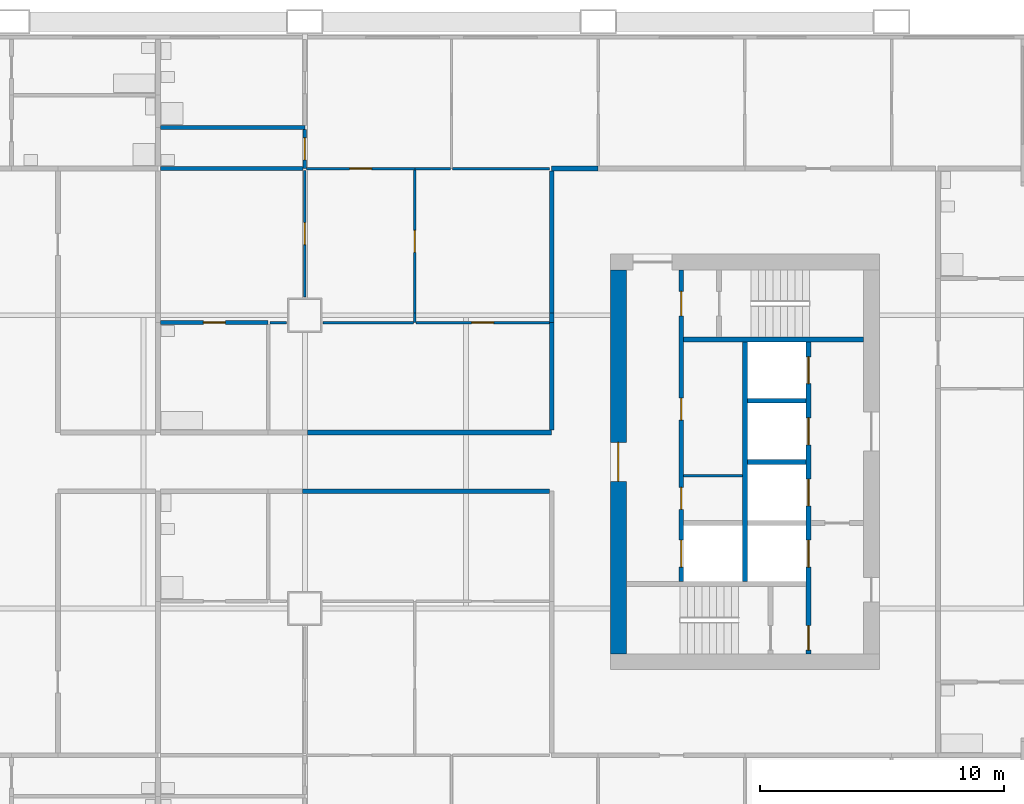
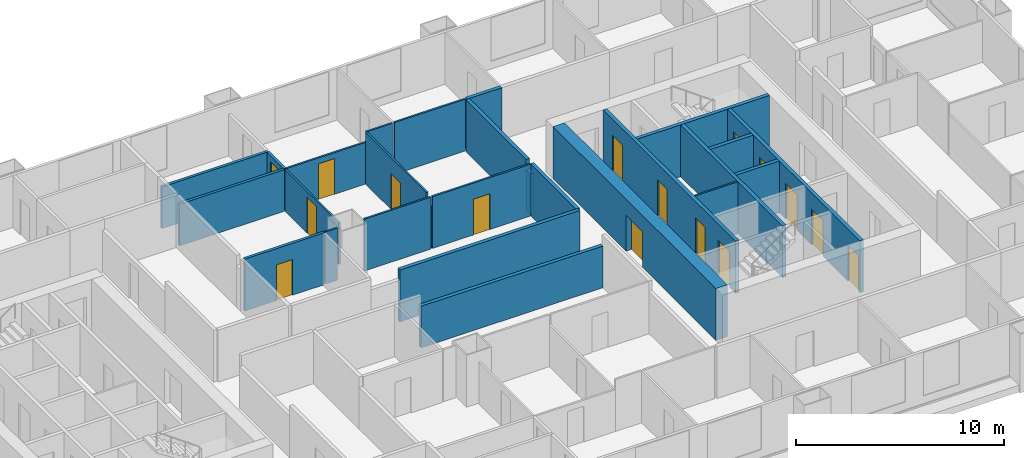
# One storey, part 6 of 11: 27 walls, 16 doors, 16 openings.
"""IFC4 building model written with IfcOpenShell, lengths in metres."""

from ifc_helpers import new_model, si_unit, direction, frame, frame_2d, origin, place, context, subcontext, project, spatial, rectangle, extrude, material, layer, layer_set, type_object, element, fill, save


model = new_model("IFC4")

# Units and contexts
model_context = context("Model", 3, precision=1e-05, world=origin(), true_north=direction((0.0, 1.0)))
body_context = subcontext(model_context, "Body", "Model", "MODEL_VIEW")
ifc_project = project(units=[si_unit("LENGTHUNIT", "METRE"), si_unit("AREAUNIT", "SQUARE_METRE"), si_unit("VOLUMEUNIT", "CUBIC_METRE"), si_unit("PLANEANGLEUNIT", "RADIAN"), si_unit("MASSUNIT", "GRAM", prefix="KILO")], contexts=[model_context])

# Site, building, storey
site_placement = place(None, origin())
site = spatial("IfcSite", under=ifc_project, at=site_placement, CompositionType="ELEMENT")
building_placement = place(site_placement, origin())
building = spatial("IfcBuilding", under=site, at=building_placement, Name="Kitamizu Gate Tower and Museum", CompositionType="ELEMENT")
storey_placement = place(building_placement, frame((0.0, 0.0, 110.39990234375)))
storey = spatial("IfcBuildingStorey", under=building, at=storey_placement, Name="L28", CompositionType="ELEMENT", Elevation=110.39990234375)

# Wall, opening, door
ifc_material_1 = material(Name="Concrete Fc60", Category="concrete")
ifc_layer_1 = layer(ifc_material_1, 0.64990234375)
ifc_layer_set_1 = layer_set([ifc_layer_1], Name="Concrete Fc60")
wall_type_1 = type_object("IfcWallType", Name="Core wall 650", PredefinedType="SHEAR", material=ifc_layer_set_1)
wall_1_placement = place(storey_placement, frame((48.824951171875, 22.14990234375, 0.0), z_axis=(0.0, 0.0, 1.0), x_axis=(0.0, 1.0, 0.0)))
wall_1 = element("IfcWall", 1, at=wall_1_placement, inside=storey, type_object=wall_type_1, Name="Core wall EARC", PredefinedType="SHEAR", context=body_context, shape_type="SweptSolid", body=[
    extrude(rectangle(XDim=15.7001953125, YDim=0.64990234375, at=frame_2d((7.85009765625, 0.0))), origin(), (0.0, 0.0, 1.0), 3.050048828125),
])
opening_1_placement = place(wall_1_placement, frame((7.050048828125, 0.0, 0.0)))
opening_1 = element("IfcOpeningElement", 2, at=opening_1_placement, cuts=wall_1, Name="Opening L28-072", PredefinedType="OPENING", context=body_context, shape_type="SweptSolid", body=[
    extrude(rectangle(XDim=1.60009765625, YDim=2.10009765625, at=frame_2d((0.800048828125, 1.050048828125))), frame((0.0, 0.3349609375, 0.0), z_axis=(0.0, -1.0, 0.0), x_axis=(1.0, 0.0, 0.0)), (0.0, 0.0, 1.0), 0.669921875),
])
ifc_material_2 = material(Name="Timber door set", Category="wood")
door_type_1 = type_object("IfcDoorType", Name="Entrance door 1600", OperationType="DOUBLE_DOOR_SINGLE_SWING", PredefinedType="DOOR", material=ifc_material_2)
door_1_placement = place(opening_1_placement, origin())
door_1 = element("IfcDoor", 3, at=door_1_placement, inside=storey, type_object=door_type_1, Name="Lobby door L28-072", OperationType="DOUBLE_DOOR_SINGLE_SWING", OverallHeight=2.10009765625, OverallWidth=1.60009765625, PredefinedType="DOOR", context=body_context, shape_type="SweptSolid", body=[
    extrude(rectangle(XDim=1.60009765625, YDim=2.10009765625, at=frame_2d((0.800048828125, 1.050048828125))), frame((0.0, 0.02490234375, 0.0), z_axis=(0.0, -1.0, 0.0), x_axis=(1.0, 0.0, 0.0)), (0.0, 0.0, 1.0), 0.050048828125),
])
fill(opening_1, door_1)

# Wall
ifc_material_3 = material(Name="Gypsum board on galvanised stud")
ifc_layer_2 = layer(ifc_material_3, 0.10009765625)
ifc_layer_set_2 = layer_set([ifc_layer_2], Name="Gypsum board on galvanised stud")
wall_type_2 = type_object("IfcWallType", Name="Partition 100", PredefinedType="PARTITIONING", material=ifc_layer_set_2)
wall_2_placement = place(storey_placement, frame((53.89990234375, 29.425048828125, 0.0), z_axis=(0.0, 0.0, 1.0), x_axis=(-1.0, 0.0, 0.0)))
element("IfcWall", 4, at=wall_2_placement, inside=storey, type_object=wall_type_2, Name="Partition EPF1", PredefinedType="PARTITIONING", context=body_context, shape_type="SweptSolid", body=[
    extrude(rectangle(XDim=2.39990234375, YDim=0.10009765625, at=frame_2d((1.199951171875, 0.0))), origin(), (0.0, 0.0, 1.0), 3.050048828125),
])

# Wall, opening, door
ifc_material_4 = material(Name="Gypsum board on galvanised stud")
ifc_layer_3 = layer(ifc_material_4, 0.10009765625)
ifc_layer_set_3 = layer_set([ifc_layer_3], Name="Gypsum board on galvanised stud")
wall_type_3 = type_object("IfcWallType", Name="Partition 100 NOT RATED", PredefinedType="PARTITIONING", material=ifc_layer_set_3)
wall_3_placement = place(storey_placement, frame((36.074951171875, 42.0, 0.0), z_axis=(0.0, 0.0, 1.0), x_axis=(1.0, 0.0, 0.0)))
wall_3 = element("IfcWall", 5, at=wall_3_placement, inside=storey, type_object=wall_type_3, Name="Partition L28-112", PredefinedType="PARTITIONING", context=body_context, shape_type="SweptSolid", body=[
    extrude(rectangle(XDim=4.425048828125, YDim=0.10009765625, at=frame_2d((2.21240234375, 0.0))), origin(), (0.0, 0.0, 1.0), 2.4501953125),
])
opening_2_placement = place(wall_3_placement, frame((1.762451171875, 0.0, 0.0)))
opening_2 = element("IfcOpeningElement", 6, at=opening_2_placement, cuts=wall_3, Name="Opening L28-044", PredefinedType="OPENING", context=body_context, shape_type="SweptSolid", body=[
    extrude(rectangle(XDim=0.89990234375, YDim=2.10009765625, at=frame_2d((0.449951171875, 1.050048828125))), frame((0.0, 0.06005859375, 0.0), z_axis=(0.0, -1.0, 0.0), x_axis=(1.0, 0.0, 0.0)), (0.0, 0.0, 1.0), 0.1201171875),
])
ifc_material_5 = material(Name="Timber door set", Category="wood")
door_type_2 = type_object("IfcDoorType", Name="Room door 900", OperationType="NOTDEFINED", PredefinedType="DOOR", material=ifc_material_5)
door_2_placement = place(opening_2_placement, frame((0.89990234375, 0.0, 0.0), x_axis=(-1.0, 0.0, 0.0)))
door_2 = element("IfcDoor", 7, at=door_2_placement, inside=storey, type_object=door_type_2, Name="Door L28-044", OperationType="SINGLE_SWING_RIGHT", OverallHeight=2.10009765625, OverallWidth=0.89990234375, PredefinedType="DOOR", context=body_context, shape_type="SweptSolid", body=[
    extrude(rectangle(XDim=0.89990234375, YDim=2.10009765625, at=frame_2d((0.449951171875, 1.050048828125))), frame((0.0, 0.02490234375, 0.0), z_axis=(0.0, -1.0, 0.0), x_axis=(1.0, 0.0, 0.0)), (0.0, 0.0, 1.0), 0.050048828125),
])
fill(opening_2, door_2)

# Walls
wall_4_placement = place(storey_placement, frame((40.5, 42.0, 0.0), z_axis=(0.0, 0.0, 1.0), x_axis=(1.0, 0.0, 0.0)))
element("IfcWall", 8, at=wall_4_placement, inside=storey, type_object=wall_type_3, Name="Partition L28-113", PredefinedType="PARTITIONING", context=body_context, shape_type="SweptSolid", body=[
    extrude(rectangle(XDim=1.449951171875, YDim=0.10009765625, at=frame_2d((0.72509765625, 0.0))), origin(), (0.0, 0.0, 1.0), 3.050048828125),
])
wall_5_placement = place(storey_placement, frame((42.050048828125, 42.0, 0.0), z_axis=(0.0, 0.0, 1.0), x_axis=(1.0, 0.0, 0.0)))
element("IfcWall", 9, at=wall_5_placement, inside=storey, type_object=wall_type_3, Name="Partition L28-115", PredefinedType="PARTITIONING", context=body_context, shape_type="SweptSolid", body=[
    extrude(rectangle(XDim=3.949951171875, YDim=0.10009765625, at=frame_2d((1.97509765625, 0.0))), origin(), (0.0, 0.0, 1.0), 3.050048828125),
])

# Wall, opening, door
wall_6_placement = place(storey_placement, frame((36.0, 36.75, 0.0), z_axis=(0.0, 0.0, 1.0), x_axis=(0.0, 1.0, 0.0)))
wall_6 = element("IfcWall", 10, at=wall_6_placement, inside=storey, type_object=wall_type_3, Name="Partition L28-122", PredefinedType="PARTITIONING", context=body_context, shape_type="SweptSolid", body=[
    extrude(rectangle(XDim=5.175048828125, YDim=0.10009765625, at=frame_2d((2.58740234375, 0.0))), origin(), (0.0, 0.0, 1.0), 2.4501953125),
])
opening_3_placement = place(wall_6_placement, frame((2.137451171875, 0.0, 0.0)))
opening_3 = element("IfcOpeningElement", 11, at=opening_3_placement, cuts=wall_6, Name="Opening L28-049", PredefinedType="OPENING", context=body_context, shape_type="SweptSolid", body=[
    extrude(rectangle(XDim=0.89990234375, YDim=2.10009765625, at=frame_2d((0.449951171875, 1.050048828125))), frame((0.0, 0.06005859375, 0.0), z_axis=(0.0, -1.0, 0.0), x_axis=(1.0, 0.0, 0.0)), (0.0, 0.0, 1.0), 0.1201171875),
])
door_3_placement = place(opening_3_placement, frame((0.89990234375, 0.0, 0.0), x_axis=(-1.0, 0.0, 0.0)))
door_3 = element("IfcDoor", 12, at=door_3_placement, inside=storey, type_object=door_type_2, Name="Door L28-049", OperationType="SINGLE_SWING_LEFT", OverallHeight=2.10009765625, OverallWidth=0.89990234375, PredefinedType="DOOR", context=body_context, shape_type="SweptSolid", body=[
    extrude(rectangle(XDim=0.89990234375, YDim=2.10009765625, at=frame_2d((0.449951171875, 1.050048828125))), frame((0.0, 0.02490234375, 0.0), z_axis=(0.0, -1.0, 0.0), x_axis=(1.0, 0.0, 0.0)), (0.0, 0.0, 1.0), 0.050048828125),
])
fill(opening_3, door_3)

# Walls
wall_7_placement = place(storey_placement, frame((34.574951171875, 35.699951171875, 0.0), z_axis=(0.0, 0.0, 1.0), x_axis=(1.0, 0.0, 0.0)))
element("IfcWall", 13, at=wall_7_placement, inside=storey, type_object=wall_type_3, Name="Partition L28-124", PredefinedType="PARTITIONING", context=body_context, shape_type="SweptSolid", body=[
    extrude(rectangle(XDim=0.675048828125, YDim=0.10009765625, at=frame_2d((0.33740234375, 0.0))), origin(), (0.0, 0.0, 1.0), 3.050048828125),
])
wall_8_placement = place(storey_placement, frame((40.5, 35.699951171875, 0.0), z_axis=(0.0, 0.0, 1.0), x_axis=(0.0, 1.0, 0.0)))
element("IfcWall", 14, at=wall_8_placement, inside=storey, type_object=wall_type_3, Name="Partition L28-125", PredefinedType="PARTITIONING", context=body_context, shape_type="SweptSolid", body=[
    extrude(rectangle(XDim=0.400146484375, YDim=0.10009765625, at=frame_2d((0.2001953125, 0.0))), origin(), (0.0, 0.0, 1.0), 2.4501953125),
])

# Wall, opening, door
wall_9_placement = place(storey_placement, frame((40.5, 36.10009765625, 0.0), z_axis=(0.0, 0.0, 1.0), x_axis=(0.0, 1.0, 0.0)))
wall_9 = element("IfcWall", 15, at=wall_9_placement, inside=storey, type_object=wall_type_3, Name="Partition L28-126", PredefinedType="PARTITIONING", context=body_context, shape_type="SweptSolid", body=[
    extrude(rectangle(XDim=5.849853515625, YDim=0.10009765625, at=frame_2d((2.9248046875, 0.0))), origin(), (0.0, 0.0, 1.0), 3.050048828125),
])
opening_4_placement = place(wall_9_placement, frame((2.47509765625, 0.0, 0.0)))
opening_4 = element("IfcOpeningElement", 16, at=opening_4_placement, cuts=wall_9, Name="Opening L28-045", PredefinedType="OPENING", context=body_context, shape_type="SweptSolid", body=[
    extrude(rectangle(XDim=0.89990234375, YDim=2.10009765625, at=frame_2d((0.449951171875, 1.050048828125))), frame((0.0, 0.06005859375, 0.0), z_axis=(0.0, -1.0, 0.0), x_axis=(1.0, 0.0, 0.0)), (0.0, 0.0, 1.0), 0.1201171875),
])
door_4_placement = place(opening_4_placement, origin())
door_4 = element("IfcDoor", 17, at=door_4_placement, inside=storey, type_object=door_type_2, Name="Door L28-045", OperationType="SINGLE_SWING_RIGHT", OverallHeight=2.10009765625, OverallWidth=0.89990234375, PredefinedType="DOOR", context=body_context, shape_type="SweptSolid", body=[
    extrude(rectangle(XDim=0.89990234375, YDim=2.10009765625, at=frame_2d((0.449951171875, 1.050048828125))), frame((0.0, 0.02490234375, 0.0), z_axis=(0.0, -1.0, 0.0), x_axis=(1.0, 0.0, 0.0)), (0.0, 0.0, 1.0), 0.050048828125),
])
fill(opening_4, door_4)

# Wall
wall_10_placement = place(storey_placement, frame((36.75, 35.699951171875, 0.0), z_axis=(0.0, 0.0, 1.0), x_axis=(1.0, 0.0, 0.0)))
element("IfcWall", 18, at=wall_10_placement, inside=storey, type_object=wall_type_3, Name="Partition L28-127", PredefinedType="PARTITIONING", context=body_context, shape_type="SweptSolid", body=[
    extrude(rectangle(XDim=3.699951171875, YDim=0.10009765625, at=frame_2d((1.85009765625, 0.0))), origin(), (0.0, 0.0, 1.0), 3.050048828125),
])

# Wall, opening, door
wall_11_placement = place(storey_placement, frame((40.550048828125, 35.699951171875, 0.0), z_axis=(0.0, 0.0, 1.0), x_axis=(1.0, 0.0, 0.0)))
wall_11 = element("IfcWall", 19, at=wall_11_placement, inside=storey, type_object=wall_type_3, Name="Partition L28-128", PredefinedType="PARTITIONING", context=body_context, shape_type="SweptSolid", body=[
    extrude(rectangle(XDim=5.449951171875, YDim=0.10009765625, at=frame_2d((2.72509765625, 0.0))), origin(), (0.0, 0.0, 1.0), 3.050048828125),
])
opening_5_placement = place(wall_11_placement, frame((2.27490234375, 0.0, 0.0)))
opening_5 = element("IfcOpeningElement", 20, at=opening_5_placement, cuts=wall_11, Name="Opening L28-046", PredefinedType="OPENING", context=body_context, shape_type="SweptSolid", body=[
    extrude(rectangle(XDim=0.89990234375, YDim=2.10009765625, at=frame_2d((0.449951171875, 1.050048828125))), frame((0.0, 0.06005859375, 0.0), z_axis=(0.0, -1.0, 0.0), x_axis=(1.0, 0.0, 0.0)), (0.0, 0.0, 1.0), 0.1201171875),
])
door_5_placement = place(opening_5_placement, origin())
door_5 = element("IfcDoor", 21, at=door_5_placement, inside=storey, type_object=door_type_2, Name="Door L28-046", OperationType="SINGLE_SWING_LEFT", OverallHeight=2.10009765625, OverallWidth=0.89990234375, PredefinedType="DOOR", context=body_context, shape_type="SweptSolid", body=[
    extrude(rectangle(XDim=0.89990234375, YDim=2.10009765625, at=frame_2d((0.449951171875, 1.050048828125))), frame((0.0, 0.02490234375, 0.0), z_axis=(0.0, -1.0, 0.0), x_axis=(1.0, 0.0, 0.0)), (0.0, 0.0, 1.0), 0.050048828125),
])
fill(opening_5, door_5)

# Wall
ifc_material_6 = material(Name="Gypsum board on galvanised stud")
ifc_layer_4 = layer(ifc_material_6, 0.14990234375)
ifc_layer_set_4 = layer_set([ifc_layer_4], Name="Gypsum board on galvanised stud")
wall_type_4 = type_object("IfcWallType", Name="Partition 150", PredefinedType="PARTITIONING", material=ifc_layer_set_4)
wall_12_placement = place(storey_placement, frame((30.10009765625, 43.679931640625, 0.0), z_axis=(0.0, 0.0, 1.0), x_axis=(1.0, 0.0, 0.0)))
element("IfcWall", 22, at=wall_12_placement, inside=storey, type_object=wall_type_4, Name="Partition L28-107", PredefinedType="PARTITIONING", context=body_context, shape_type="SweptSolid", body=[
    extrude(rectangle(XDim=5.89990234375, YDim=0.14990234375, at=frame_2d((2.949951171875, 0.0))), origin(), (0.0, 0.0, 1.0), 2.4501953125),
])

# Wall, opening, door
wall_13_placement = place(storey_placement, frame((36.0, 42.0, 0.0), z_axis=(0.0, 0.0, 1.0), x_axis=(0.0, 1.0, 0.0)))
wall_13 = element("IfcWall", 23, at=wall_13_placement, inside=storey, type_object=wall_type_4, Name="Partition L28-109", PredefinedType="PARTITIONING", context=body_context, shape_type="SweptSolid", body=[
    extrude(rectangle(XDim=1.60498046875, YDim=0.14990234375, at=frame_2d((0.802490234375, 0.0))), origin(), (0.0, 0.0, 1.0), 2.4501953125),
])
opening_6_placement = place(wall_13_placement, frame((0.3525390625, 0.0, 0.0)))
opening_6 = element("IfcOpeningElement", 24, at=opening_6_placement, cuts=wall_13, Name="Opening L28-048", PredefinedType="OPENING", context=body_context, shape_type="SweptSolid", body=[
    extrude(rectangle(XDim=0.89990234375, YDim=2.10009765625, at=frame_2d((0.449951171875, 1.050048828125))), frame((0.0, 0.0849609375, 0.0), z_axis=(0.0, -1.0, 0.0), x_axis=(1.0, 0.0, 0.0)), (0.0, 0.0, 1.0), 0.169921875),
])
ifc_material_7 = material(Name="Timber door set", Category="wood")
door_type_3 = type_object("IfcDoorType", Name="Bathroom door 900", OperationType="NOTDEFINED", PredefinedType="DOOR", material=ifc_material_7)
door_6_placement = place(opening_6_placement, origin())
door_6 = element("IfcDoor", 25, at=door_6_placement, inside=storey, type_object=door_type_3, Name="Bathroom door L28-048", OperationType="SINGLE_SWING_LEFT", OverallHeight=2.10009765625, OverallWidth=0.89990234375, PredefinedType="DOOR", context=body_context, shape_type="SweptSolid", body=[
    extrude(rectangle(XDim=0.89990234375, YDim=2.10009765625, at=frame_2d((0.449951171875, 1.050048828125))), frame((0.0, 0.02490234375, 0.0), z_axis=(0.0, -1.0, 0.0), x_axis=(1.0, 0.0, 0.0)), (0.0, 0.0, 1.0), 0.050048828125),
])
fill(opening_6, door_6)

# Wall
wall_14_placement = place(storey_placement, frame((30.10009765625, 42.0, 0.0), z_axis=(0.0, 0.0, 1.0), x_axis=(1.0, 0.0, 0.0)))
element("IfcWall", 26, at=wall_14_placement, inside=storey, type_object=wall_type_4, Name="Partition L28-110", PredefinedType="PARTITIONING", context=body_context, shape_type="SweptSolid", body=[
    extrude(rectangle(XDim=5.824951171875, YDim=0.14990234375, at=frame_2d((2.91259765625, 0.0))), origin(), (0.0, 0.0, 1.0), 2.4501953125),
])

# Wall, opening, door
wall_15_placement = place(storey_placement, frame((30.10009765625, 35.699951171875, 0.0), z_axis=(0.0, 0.0, 1.0), x_axis=(1.0, 0.0, 0.0)))
wall_15 = element("IfcWall", 27, at=wall_15_placement, inside=storey, type_object=wall_type_4, Name="Partition L28-123", PredefinedType="PARTITIONING", context=body_context, shape_type="SweptSolid", body=[
    extrude(rectangle(XDim=4.39990234375, YDim=0.14990234375, at=frame_2d((2.199951171875, 0.0))), origin(), (0.0, 0.0, 1.0), 3.050048828125),
])
opening_7_placement = place(wall_15_placement, frame((1.75, 0.0, 0.0)))
opening_7 = element("IfcOpeningElement", 28, at=opening_7_placement, cuts=wall_15, Name="Opening L28-050", PredefinedType="OPENING", context=body_context, shape_type="SweptSolid", body=[
    extrude(rectangle(XDim=0.89990234375, YDim=2.10009765625, at=frame_2d((0.449951171875, 1.050048828125))), frame((0.0, 0.0849609375, 0.0), z_axis=(0.0, -1.0, 0.0), x_axis=(1.0, 0.0, 0.0)), (0.0, 0.0, 1.0), 0.169921875),
])
door_7_placement = place(opening_7_placement, frame((0.89990234375, 0.0, 0.0), x_axis=(-1.0, 0.0, 0.0)))
door_7 = element("IfcDoor", 29, at=door_7_placement, inside=storey, type_object=door_type_3, Name="Bathroom door L28-050", OperationType="SINGLE_SWING_RIGHT", OverallHeight=2.10009765625, OverallWidth=0.89990234375, PredefinedType="DOOR", context=body_context, shape_type="SweptSolid", body=[
    extrude(rectangle(XDim=0.89990234375, YDim=2.10009765625, at=frame_2d((0.449951171875, 1.050048828125))), frame((0.0, 0.02490234375, 0.0), z_axis=(0.0, -1.0, 0.0), x_axis=(1.0, 0.0, 0.0)), (0.0, 0.0, 1.0), 0.050048828125),
])
fill(opening_7, door_7)

# Walls
ifc_material_8 = material(Name="Gypsum board on galvanised stud")
ifc_layer_5 = layer(ifc_material_8, 0.199951171875)
ifc_layer_set_5 = layer_set([ifc_layer_5], Name="Gypsum board on galvanised stud")
wall_type_5 = type_object("IfcWallType", Name="Partition 200", PredefinedType="PARTITIONING", material=ifc_layer_set_5)
wall_16_placement = place(storey_placement, frame((46.0, 28.800048828125, 0.0), z_axis=(0.0, 0.0, 1.0), x_axis=(-1.0, 0.0, 0.0)))
element("IfcWall", 30, at=wall_16_placement, inside=storey, type_object=wall_type_5, Name="Partition L28-066", PredefinedType="PARTITIONING", context=body_context, shape_type="SweptSolid", body=[
    extrude(rectangle(XDim=10.10009765625, YDim=0.199951171875, at=frame_2d((5.050048828125, 0.0))), origin(), (0.0, 0.0, 1.0), 2.4501953125),
])
wall_17_placement = place(storey_placement, frame((46.10009765625, 42.0, 0.0), z_axis=(0.0, 0.0, 1.0), x_axis=(1.0, 0.0, 0.0)))
element("IfcWall", 31, at=wall_17_placement, inside=storey, type_object=wall_type_5, Name="Partition L28-116", PredefinedType="PARTITIONING", context=body_context, shape_type="SweptSolid", body=[
    extrude(rectangle(XDim=1.89990234375, YDim=0.199951171875, at=frame_2d((0.949951171875, 0.0))), origin(), (0.0, 0.0, 1.0), 3.050048828125),
])
wall_18_placement = place(storey_placement, frame((46.10009765625, 35.699951171875, 0.0), z_axis=(0.0, 0.0, 1.0), x_axis=(0.0, 1.0, 0.0)))
element("IfcWall", 32, at=wall_18_placement, inside=storey, type_object=wall_type_5, Name="Partition L28-129", PredefinedType="PARTITIONING", context=body_context, shape_type="SweptSolid", body=[
    extrude(rectangle(XDim=0.400146484375, YDim=0.199951171875, at=frame_2d((0.2001953125, 0.0))), origin(), (0.0, 0.0, 1.0), 2.4501953125),
])
wall_19_placement = place(storey_placement, frame((46.10009765625, 36.10009765625, 0.0), z_axis=(0.0, 0.0, 1.0), x_axis=(0.0, 1.0, 0.0)))
element("IfcWall", 33, at=wall_19_placement, inside=storey, type_object=wall_type_5, Name="Partition L28-130", PredefinedType="PARTITIONING", context=body_context, shape_type="SweptSolid", body=[
    extrude(rectangle(XDim=5.7998046875, YDim=0.199951171875, at=frame_2d((2.89990234375, 0.0))), origin(), (0.0, 0.0, 1.0), 3.050048828125),
])
wall_20_placement = place(storey_placement, frame((36.10009765625, 31.199951171875, 0.0), z_axis=(0.0, 0.0, 1.0), x_axis=(1.0, 0.0, 0.0)))
element("IfcWall", 34, at=wall_20_placement, inside=storey, type_object=wall_type_5, Name="Partition L28-134", PredefinedType="PARTITIONING", context=body_context, shape_type="SweptSolid", body=[
    extrude(rectangle(XDim=10.0, YDim=0.199951171875, at=frame_2d((5.0, 0.0))), origin(), (0.0, 0.0, 1.0), 3.050048828125),
])
wall_21_placement = place(storey_placement, frame((46.10009765625, 31.300048828125, 0.0), z_axis=(0.0, 0.0, 1.0), x_axis=(0.0, 1.0, 0.0)))
element("IfcWall", 35, at=wall_21_placement, inside=storey, type_object=wall_type_5, Name="Partition L28-135", PredefinedType="PARTITIONING", context=body_context, shape_type="SweptSolid", body=[
    extrude(rectangle(XDim=4.39990234375, YDim=0.199951171875, at=frame_2d((2.199951171875, 0.0))), origin(), (0.0, 0.0, 1.0), 3.050048828125),
])

# Wall, openings, doors
ifc_material_9 = material(Name="Concrete Fc42", Category="concrete")
ifc_layer_6 = layer(ifc_material_9, 0.199951171875)
ifc_layer_set_6 = layer_set([ifc_layer_6], Name="Concrete Fc42")
wall_type_6 = type_object("IfcWallType", Name="Shaft wall 200", PredefinedType="SOLIDWALL", material=ifc_layer_set_6)
wall_22_placement = place(storey_placement, frame((56.60009765625, 22.14990234375, 0.0), z_axis=(0.0, 0.0, 1.0), x_axis=(0.0, 1.0, 0.0)))
wall_22 = element("IfcWall", 36, at=wall_22_placement, inside=storey, type_object=wall_type_6, Name="Shaft wall EWEST", PredefinedType="SOLIDWALL", context=body_context, shape_type="SweptSolid", body=[
    extrude(rectangle(XDim=12.75, YDim=0.199951171875, at=frame_2d((6.375, 0.0))), origin(), (0.0, 0.0, 1.0), 3.050048828125),
])
opening_8_placement = place(wall_22_placement, frame((3.550048828125, 0.0, 0.0)))
opening_8 = element("IfcOpeningElement", 37, at=opening_8_placement, cuts=wall_22, Name="Opening LD", PredefinedType="OPENING", context=body_context, shape_type="SweptSolid", body=[
    extrude(rectangle(XDim=1.10009765625, YDim=2.10009765625, at=frame_2d((0.550048828125, 1.050048828125))), frame((0.0, 0.10986328125, 0.0), z_axis=(0.0, -1.0, 0.0), x_axis=(1.0, 0.0, 0.0)), (0.0, 0.0, 1.0), 0.219970703125),
])
opening_9_placement = place(wall_22_placement, frame((6.050048828125, 0.0, 0.0)))
opening_9 = element("IfcOpeningElement", 38, at=opening_9_placement, cuts=wall_22, Name="Opening LD", PredefinedType="OPENING", context=body_context, shape_type="SweptSolid", body=[
    extrude(rectangle(XDim=1.10009765625, YDim=2.10009765625, at=frame_2d((0.550048828125, 1.050048828125))), frame((0.0, 0.10986328125, 0.0), z_axis=(0.0, -1.0, 0.0), x_axis=(1.0, 0.0, 0.0)), (0.0, 0.0, 1.0), 0.219970703125),
])
opening_10_placement = place(wall_22_placement, frame((8.550048828125, 0.0, 0.0)))
opening_10 = element("IfcOpeningElement", 39, at=opening_10_placement, cuts=wall_22, Name="Opening LD", PredefinedType="OPENING", context=body_context, shape_type="SweptSolid", body=[
    extrude(rectangle(XDim=1.10009765625, YDim=2.10009765625, at=frame_2d((0.550048828125, 1.050048828125))), frame((0.0, 0.10986328125, 0.0), z_axis=(0.0, -1.0, 0.0), x_axis=(1.0, 0.0, 0.0)), (0.0, 0.0, 1.0), 0.219970703125),
])
opening_11_placement = place(wall_22_placement, frame((11.050048828125, 0.0, 0.0)))
opening_11 = element("IfcOpeningElement", 40, at=opening_11_placement, cuts=wall_22, Name="Opening LD", PredefinedType="OPENING", context=body_context, shape_type="SweptSolid", body=[
    extrude(rectangle(XDim=1.10009765625, YDim=2.10009765625, at=frame_2d((0.550048828125, 1.050048828125))), frame((0.0, 0.10986328125, 0.0), z_axis=(0.0, -1.0, 0.0), x_axis=(1.0, 0.0, 0.0)), (0.0, 0.0, 1.0), 0.219970703125),
])
opening_12_placement = place(wall_22_placement, frame((0.14990234375, 0.0, 0.0)))
opening_12 = element("IfcOpeningElement", 41, at=opening_12_placement, cuts=wall_22, Name="Opening L28-065", PredefinedType="OPENING", context=body_context, shape_type="SweptSolid", body=[
    extrude(rectangle(XDim=1.0, YDim=2.10009765625, at=frame_2d((0.5, 1.050048828125))), frame((0.0, 0.10986328125, 0.0), z_axis=(0.0, -1.0, 0.0), x_axis=(1.0, 0.0, 0.0)), (0.0, 0.0, 1.0), 0.219970703125),
])
ifc_material_10 = material(Name="Hollow metal door set")
door_type_4 = type_object("IfcDoorType", Name="Fire door 1000", OperationType="NOTDEFINED", PredefinedType="DOOR", material=ifc_material_10)
door_8_placement = place(opening_12_placement, origin())
door_8 = element("IfcDoor", 42, at=door_8_placement, inside=storey, type_object=door_type_4, Name="Stair lobby door L28-065", OperationType="SINGLE_SWING_RIGHT", OverallHeight=2.10009765625, OverallWidth=1.0, PredefinedType="DOOR", context=body_context, shape_type="SweptSolid", body=[
    extrude(rectangle(XDim=1.0, YDim=2.10009765625, at=frame_2d((0.5, 1.050048828125))), frame((0.0, 0.02490234375, 0.0), z_axis=(0.0, -1.0, 0.0), x_axis=(1.0, 0.0, 0.0)), (0.0, 0.0, 1.0), 0.050048828125),
])
fill(opening_12, door_8)
ifc_material_11 = material(Name="Hollow metal door set")
door_type_5 = type_object("IfcDoorType", Name="Landing door 1100", OperationType="SLIDING_TO_LEFT", PredefinedType="DOOR", material=ifc_material_11)
door_9_placement = place(opening_8_placement, origin())
door_9 = element("IfcDoor", 43, at=door_9_placement, inside=storey, type_object=door_type_5, Name="Landing door EFF1", OperationType="SLIDING_TO_LEFT", OverallHeight=2.10009765625, OverallWidth=1.10009765625, PredefinedType="DOOR", context=body_context, shape_type="SweptSolid", body=[
    extrude(rectangle(XDim=1.10009765625, YDim=2.10009765625, at=frame_2d((0.550048828125, 1.050048828125))), frame((0.0, 0.02490234375, 0.0), z_axis=(0.0, -1.0, 0.0), x_axis=(1.0, 0.0, 0.0)), (0.0, 0.0, 1.0), 0.050048828125),
])
fill(opening_8, door_9)
door_10_placement = place(opening_9_placement, origin())
door_10 = element("IfcDoor", 44, at=door_10_placement, inside=storey, type_object=door_type_5, Name="Landing door EL1", OperationType="SLIDING_TO_LEFT", OverallHeight=2.10009765625, OverallWidth=1.10009765625, PredefinedType="DOOR", context=body_context, shape_type="SweptSolid", body=[
    extrude(rectangle(XDim=1.10009765625, YDim=2.10009765625, at=frame_2d((0.550048828125, 1.050048828125))), frame((0.0, 0.02490234375, 0.0), z_axis=(0.0, -1.0, 0.0), x_axis=(1.0, 0.0, 0.0)), (0.0, 0.0, 1.0), 0.050048828125),
])
fill(opening_9, door_10)
door_11_placement = place(opening_10_placement, origin())
door_11 = element("IfcDoor", 45, at=door_11_placement, inside=storey, type_object=door_type_5, Name="Landing door EL2", OperationType="SLIDING_TO_LEFT", OverallHeight=2.10009765625, OverallWidth=1.10009765625, PredefinedType="DOOR", context=body_context, shape_type="SweptSolid", body=[
    extrude(rectangle(XDim=1.10009765625, YDim=2.10009765625, at=frame_2d((0.550048828125, 1.050048828125))), frame((0.0, 0.02490234375, 0.0), z_axis=(0.0, -1.0, 0.0), x_axis=(1.0, 0.0, 0.0)), (0.0, 0.0, 1.0), 0.050048828125),
])
fill(opening_10, door_11)
door_12_placement = place(opening_11_placement, origin())
door_12 = element("IfcDoor", 46, at=door_12_placement, inside=storey, type_object=door_type_5, Name="Landing door EL3", OperationType="SLIDING_TO_LEFT", OverallHeight=2.10009765625, OverallWidth=1.10009765625, PredefinedType="DOOR", context=body_context, shape_type="SweptSolid", body=[
    extrude(rectangle(XDim=1.10009765625, YDim=2.10009765625, at=frame_2d((0.550048828125, 1.050048828125))), frame((0.0, 0.02490234375, 0.0), z_axis=(0.0, -1.0, 0.0), x_axis=(1.0, 0.0, 0.0)), (0.0, 0.0, 1.0), 0.050048828125),
])
fill(opening_11, door_12)

wall_23_placement = place(storey_placement, frame((51.39990234375, 25.10009765625, 0.0), z_axis=(0.0, 0.0, 1.0), x_axis=(0.0, 1.0, 0.0)))
wall_23 = element("IfcWall", 47, at=wall_23_placement, inside=storey, type_object=wall_type_6, Name="Shaft wall EEAST", PredefinedType="SOLIDWALL", context=body_context, shape_type="SweptSolid", body=[
    extrude(rectangle(XDim=12.75, YDim=0.199951171875, at=frame_2d((6.375, 0.0))), origin(), (0.0, 0.0, 1.0), 3.050048828125),
])
opening_13_placement = place(wall_23_placement, frame((0.60009765625, 0.0, 0.0)))
opening_13 = element("IfcOpeningElement", 48, at=opening_13_placement, cuts=wall_23, Name="Opening LD", PredefinedType="OPENING", context=body_context, shape_type="SweptSolid", body=[
    extrude(rectangle(XDim=1.10009765625, YDim=2.10009765625, at=frame_2d((0.550048828125, 1.050048828125))), frame((0.0, 0.10986328125, 0.0), z_axis=(0.0, -1.0, 0.0), x_axis=(1.0, 0.0, 0.0)), (0.0, 0.0, 1.0), 0.219970703125),
])
opening_14_placement = place(wall_23_placement, frame((10.875, 0.0, 0.0)))
opening_14 = element("IfcOpeningElement", 49, at=opening_14_placement, cuts=wall_23, Name="Opening L28-066", PredefinedType="OPENING", context=body_context, shape_type="SweptSolid", body=[
    extrude(rectangle(XDim=1.0, YDim=2.10009765625, at=frame_2d((0.5, 1.050048828125))), frame((0.0, 0.10986328125, 0.0), z_axis=(0.0, -1.0, 0.0), x_axis=(1.0, 0.0, 0.0)), (0.0, 0.0, 1.0), 0.219970703125),
])
opening_15_placement = place(wall_23_placement, frame((2.96240234375, 0.0, 0.0)))
opening_15 = element("IfcOpeningElement", 50, at=opening_15_placement, cuts=wall_23, Name="Opening L28-073", PredefinedType="OPENING", context=body_context, shape_type="SweptSolid", body=[
    extrude(rectangle(XDim=0.89990234375, YDim=2.10009765625, at=frame_2d((0.449951171875, 1.050048828125))), frame((0.0, 0.10986328125, 0.0), z_axis=(0.0, -1.0, 0.0), x_axis=(1.0, 0.0, 0.0)), (0.0, 0.0, 1.0), 0.219970703125),
])
opening_16_placement = place(wall_23_placement, frame((6.612548828125, 0.0, 0.0)))
opening_16 = element("IfcOpeningElement", 51, at=opening_16_placement, cuts=wall_23, Name="Opening L28-074", PredefinedType="OPENING", context=body_context, shape_type="SweptSolid", body=[
    extrude(rectangle(XDim=0.89990234375, YDim=2.10009765625, at=frame_2d((0.449951171875, 1.050048828125))), frame((0.0, 0.10986328125, 0.0), z_axis=(0.0, -1.0, 0.0), x_axis=(1.0, 0.0, 0.0)), (0.0, 0.0, 1.0), 0.219970703125),
])
door_13_placement = place(opening_14_placement, frame((1.0, 0.0, 0.0), x_axis=(-1.0, 0.0, 0.0)))
door_13 = element("IfcDoor", 52, at=door_13_placement, inside=storey, type_object=door_type_4, Name="Stair lobby door L28-066", OperationType="SINGLE_SWING_LEFT", OverallHeight=2.10009765625, OverallWidth=1.0, PredefinedType="DOOR", context=body_context, shape_type="SweptSolid", body=[
    extrude(rectangle(XDim=1.0, YDim=2.10009765625, at=frame_2d((0.5, 1.050048828125))), frame((0.0, 0.02490234375, 0.0), z_axis=(0.0, -1.0, 0.0), x_axis=(1.0, 0.0, 0.0)), (0.0, 0.0, 1.0), 0.050048828125),
])
fill(opening_14, door_13)
door_14_placement = place(opening_13_placement, origin())
door_14 = element("IfcDoor", 53, at=door_14_placement, inside=storey, type_object=door_type_5, Name="Landing door ESV1", OperationType="SLIDING_TO_LEFT", OverallHeight=2.10009765625, OverallWidth=1.10009765625, PredefinedType="DOOR", context=body_context, shape_type="SweptSolid", body=[
    extrude(rectangle(XDim=1.10009765625, YDim=2.10009765625, at=frame_2d((0.550048828125, 1.050048828125))), frame((0.0, 0.02490234375, 0.0), z_axis=(0.0, -1.0, 0.0), x_axis=(1.0, 0.0, 0.0)), (0.0, 0.0, 1.0), 0.050048828125),
])
fill(opening_13, door_14)
ifc_material_12 = material(Name="Timber door set", Category="wood")
door_type_6 = type_object("IfcDoorType", Name="Service door 900", OperationType="NOTDEFINED", PredefinedType="DOOR", material=ifc_material_12)
door_15_placement = place(opening_15_placement, frame((0.89990234375, 0.0, 0.0), x_axis=(-1.0, 0.0, 0.0)))
door_15 = element("IfcDoor", 54, at=door_15_placement, inside=storey, type_object=door_type_6, Name="Service door L28-073", OperationType="SINGLE_SWING_LEFT", OverallHeight=2.10009765625, OverallWidth=0.89990234375, PredefinedType="DOOR", context=body_context, shape_type="SweptSolid", body=[
    extrude(rectangle(XDim=0.89990234375, YDim=2.10009765625, at=frame_2d((0.449951171875, 1.050048828125))), frame((0.0, 0.02490234375, 0.0), z_axis=(0.0, -1.0, 0.0), x_axis=(1.0, 0.0, 0.0)), (0.0, 0.0, 1.0), 0.050048828125),
])
fill(opening_15, door_15)
door_16_placement = place(opening_16_placement, frame((0.89990234375, 0.0, 0.0), x_axis=(-1.0, 0.0, 0.0)))
door_16 = element("IfcDoor", 55, at=door_16_placement, inside=storey, type_object=door_type_6, Name="Service door L28-074", OperationType="SINGLE_SWING_RIGHT", OverallHeight=2.10009765625, OverallWidth=0.89990234375, PredefinedType="DOOR", context=body_context, shape_type="SweptSolid", body=[
    extrude(rectangle(XDim=0.89990234375, YDim=2.10009765625, at=frame_2d((0.449951171875, 1.050048828125))), frame((0.0, 0.02490234375, 0.0), z_axis=(0.0, -1.0, 0.0), x_axis=(1.0, 0.0, 0.0)), (0.0, 0.0, 1.0), 0.050048828125),
])
fill(opening_16, door_16)

# Walls
wall_24_placement = place(storey_placement, frame((54.0, 25.10009765625, 0.0), z_axis=(0.0, 0.0, 1.0), x_axis=(0.0, 1.0, 0.0)))
element("IfcWall", 56, at=wall_24_placement, inside=storey, type_object=wall_type_6, Name="Shaft wall EMID", PredefinedType="SOLIDWALL", context=body_context, shape_type="SweptSolid", body=[
    extrude(rectangle(XDim=9.7998046875, YDim=0.199951171875, at=frame_2d((4.89990234375, 0.0))), origin(), (0.0, 0.0, 1.0), 3.050048828125),
])
wall_25_placement = place(storey_placement, frame((58.85009765625, 35.0, 0.0), z_axis=(0.0, 0.0, 1.0), x_axis=(-1.0, 0.0, 0.0)))
element("IfcWall", 57, at=wall_25_placement, inside=storey, type_object=wall_type_6, Name="Shaft wall ENB", PredefinedType="SOLIDWALL", context=body_context, shape_type="SweptSolid", body=[
    extrude(rectangle(XDim=7.35009765625, YDim=0.199951171875, at=frame_2d((3.675048828125, 0.0))), origin(), (0.0, 0.0, 1.0), 3.050048828125),
])
for number, where, z_axis, x_axis, name in (
    (58, (56.5, 30.0, 0.0), (0.0, 0.0, 1.0), (-1.0, 0.0, 0.0), "Shaft wall EDVW1"),
    (59, (56.5, 32.5, 0.0), (0.0, 0.0, 1.0), (-1.0, 0.0, 0.0), "Shaft wall EDVW2"),
):
    element("IfcWall", number, at=place(storey_placement, frame(where, z_axis=z_axis, x_axis=x_axis)), inside=storey, type_object=wall_type_6, Name=name, PredefinedType="SOLIDWALL", context=body_context, shape_type="SweptSolid", body=[
        extrude(rectangle(XDim=2.39990234375, YDim=0.199951171875, at=frame_2d((1.199951171875, 0.0))), origin(), (0.0, 0.0, 1.0), 3.050048828125),
    ])

save(model, "model.ifc")
